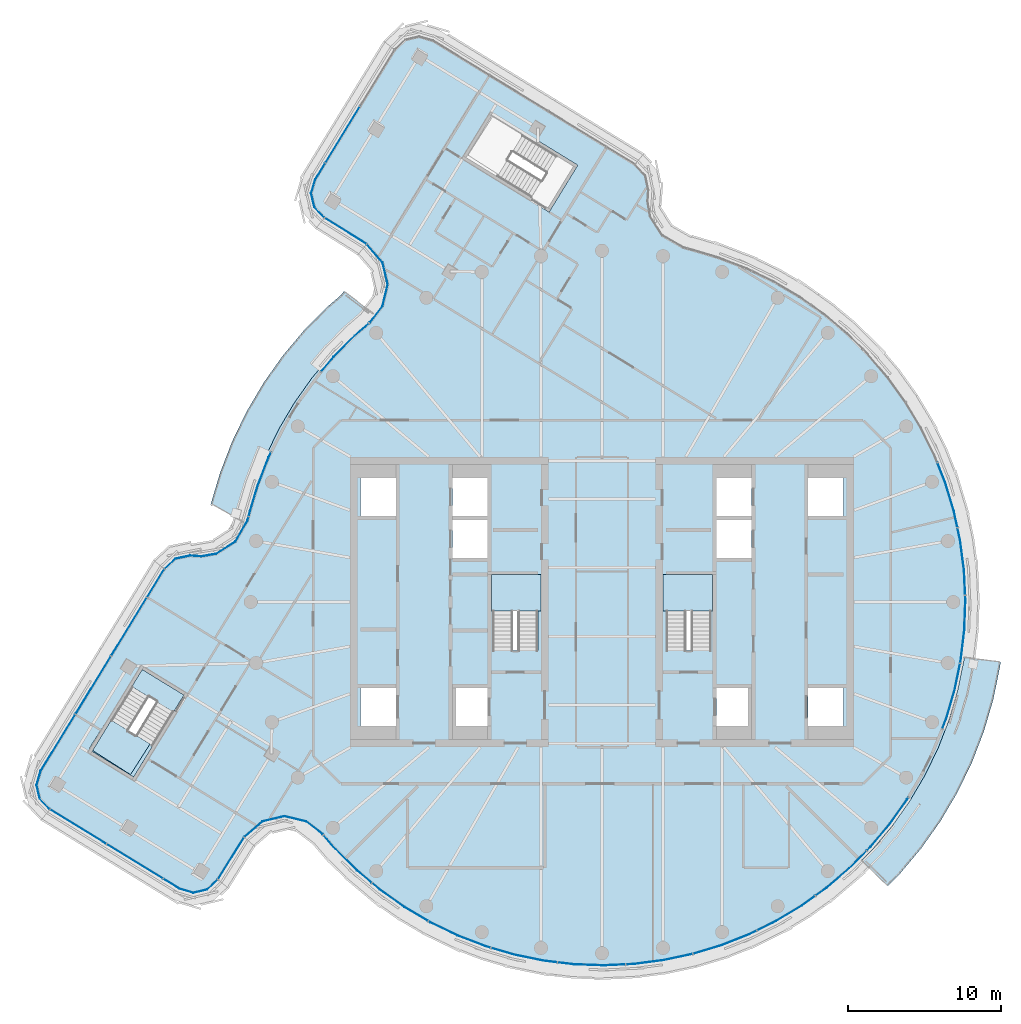
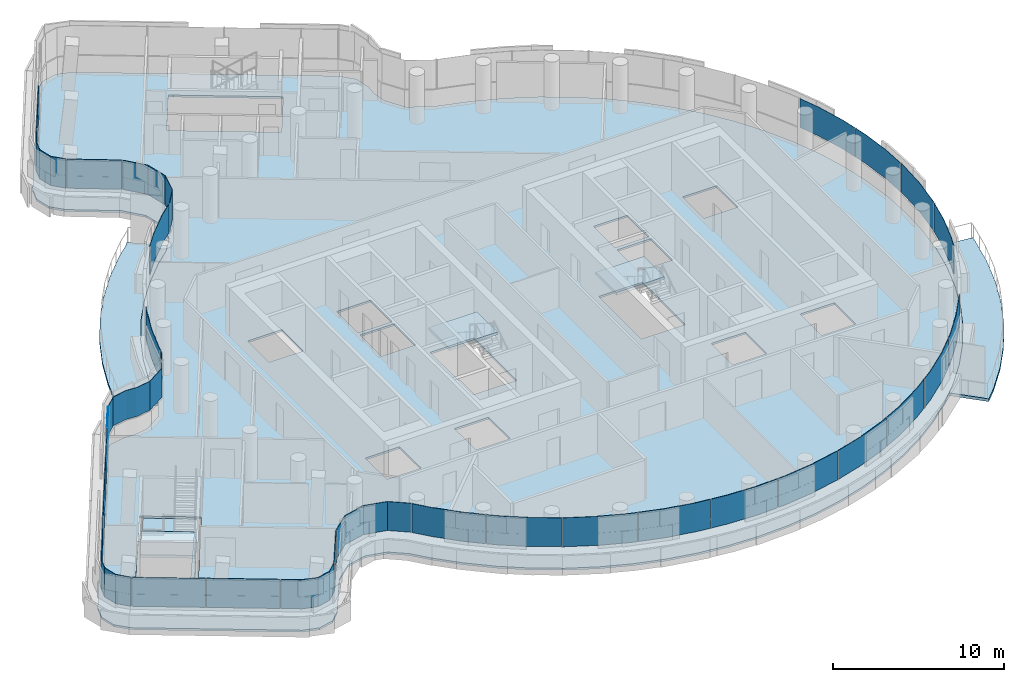
# One storey, part 15 of 27: 30 plates, 7 slabs, 10 elements without a shape of their own.
"""IFC4 building model written with IfcOpenShell, lengths in metres."""

import ifcopenshell
import ifcopenshell.guid

model = None  # the IFC model being written
_history = None  # IfcOwnerHistory: only IFC2X3 demands one
_inside = {}  # id of a spatial element -> (the spatial element, [elements in it])
_under = {}  # id of a project, library or spatial element -> (it, [spatial elements below it])
_declared = {}  # id of a project -> (the project, [libraries it declares])
_typed = {}  # id of a type object -> (the type object, [elements of that type])
_made_of = {}  # id of a material, layer set ... -> (it, [elements and type objects made of it])


def new_model(schema):
    """Start an empty IFC model of exactly this schema.

    Asked for "IFC4X3", IfcOpenShell would pick the latest addendum, in which some entities
    have other attributes; the version numbers below select the first issue.
    IFC2X3 requires an IfcOwnerHistory on every rooted entity: one is made here for all.
    """
    global model, _history
    if schema == "IFC4X3":
        model = ifcopenshell.file(schema_version=(4, 3, 0, 0))
    else:
        model = ifcopenshell.file(schema=schema)
    _inside.clear()
    _under.clear()
    _declared.clear()
    _typed.clear()
    _made_of.clear()
    _history = None
    if model.schema == "IFC2X3":
        org = make("IfcOrganization", Name="unknown")
        user = make(
            "IfcPersonAndOrganization",
            ThePerson=make("IfcPerson", FamilyName="unknown"),
            TheOrganization=org,
        )
        app = make(
            "IfcApplication",
            ApplicationDeveloper=org,
            Version="unknown",
            ApplicationFullName="unknown",
            ApplicationIdentifier="unknown",
        )
        _history = make(
            "IfcOwnerHistory",
            OwningUser=user,
            OwningApplication=app,
            ChangeAction="ADDED",
            CreationDate=0,
        )
    return model


def make(cls, **values):
    """One entity of the class cls with the attributes given. An attribute that is None is left unset."""
    return model.create_entity(
        cls, **{name: value for name, value in values.items() if value is not None}
    )


def rooted(cls, **values):
    """An entity with a GlobalId (a new one), such as an element, a storey or a relation."""
    return make(cls, GlobalId=ifcopenshell.guid.new(), OwnerHistory=_history, **values)


def si_unit(unit_type, name, prefix=None):
    """IfcSIUnit, for example si_unit("LENGTHUNIT", "METRE", prefix="MILLI")."""
    return make("IfcSIUnit", UnitType=unit_type, Prefix=prefix, Name=name)


def assignment(units):
    """IfcUnitAssignment: the units of a project."""
    return None if units is None else make("IfcUnitAssignment", Units=units)


def point(xyz):
    """IfcCartesianPoint."""
    return None if xyz is None else make("IfcCartesianPoint", Coordinates=xyz)


def direction(xyz):
    """IfcDirection."""
    return None if xyz is None else make("IfcDirection", DirectionRatios=xyz)


def frame(location, z_axis=None, x_axis=None):
    """IfcAxis2Placement3D, a coordinate frame: its origin and axes. An axis left out is left unset."""
    return make(
        "IfcAxis2Placement3D",
        Location=point(location),
        Axis=direction(z_axis),
        RefDirection=direction(x_axis),
    )


def origin():
    """The frame at (0, 0, 0) with its axes left unset."""
    return frame((0.0, 0.0, 0.0))


def place(relative_to, where):
    """IfcLocalPlacement: puts the frame where relative to a parent placement (None: the world)."""
    return make(
        "IfcLocalPlacement", PlacementRelTo=relative_to, RelativePlacement=where
    )


def context(
    kind, dimensions, precision=None, world=None, true_north=None, identifier=None
):
    """IfcGeometricRepresentationContext, for example the 3D "Model" context."""
    return make(
        "IfcGeometricRepresentationContext",
        ContextIdentifier=identifier,
        ContextType=kind,
        CoordinateSpaceDimension=dimensions,
        Precision=precision,
        WorldCoordinateSystem=world,
        TrueNorth=true_north,
    )


def subcontext(parent, identifier, kind, view, scale=None):
    """IfcGeometricRepresentationSubContext, for example "Body" below "Model"."""
    return make(
        "IfcGeometricRepresentationSubContext",
        ContextIdentifier=identifier,
        ContextType=kind,
        ParentContext=parent,
        TargetScale=scale,
        TargetView=view,
    )


def project(units=None, contexts=None):
    """IfcProject with its units and contexts."""
    return rooted(
        "IfcProject",
        Name="project",
        RepresentationContexts=contexts,
        UnitsInContext=assignment(units),
    )


def spatial(cls, under=None, at=None, **own):
    """A site, building, storey or space (cls), placed at a placement, below another one or the project."""
    s = rooted(cls, ObjectPlacement=at, **own)
    if under is not None:
        _under.setdefault(under.id(), (under, []))[1].append(s)
    return s


def polyline(points):
    """IfcPolyline through the points."""
    return make("IfcPolyline", Points=[point(p) for p in points])


def outline(outer, holes=None, kind="AREA"):
    """IfcArbitraryClosedProfileDef: a profile drawn as a closed curve; with holes, ...WithVoids."""
    if holes is None:
        return make("IfcArbitraryClosedProfileDef", ProfileType=kind, OuterCurve=outer)
    return make(
        "IfcArbitraryProfileDefWithVoids",
        ProfileType=kind,
        OuterCurve=outer,
        InnerCurves=holes,
    )


def extrude(swept, where, along, depth):
    """IfcExtrudedAreaSolid: the profile swept, set in the frame where, extruded along a direction by depth."""
    return make(
        "IfcExtrudedAreaSolid",
        SweptArea=swept,
        Position=where,
        ExtrudedDirection=direction(along),
        Depth=depth,
    )


def shape(context_of_items, identifier, shape_type, items):
    """IfcShapeRepresentation: the items that make up one representation, for example the "Body"."""
    return make(
        "IfcShapeRepresentation",
        ContextOfItems=context_of_items,
        RepresentationIdentifier=identifier,
        RepresentationType=shape_type,
        Items=items,
    )


def material(Name=None, Category=None):
    """IfcMaterial."""
    return make("IfcMaterial", Name=Name, Category=Category)


def layer(
    of_material, thickness, ventilated=None, Name=None, Category=None, Priority=None
):
    """IfcMaterialLayer: one layer of a wall or slab, of a material (None: an air gap)."""
    return make(
        "IfcMaterialLayer",
        Material=of_material,
        LayerThickness=thickness,
        IsVentilated=ventilated,
        Name=Name,
        Category=Category,
        Priority=Priority,
    )


def layer_set(layers, Name=None):
    """IfcMaterialLayerSet."""
    return make("IfcMaterialLayerSet", MaterialLayers=layers, LayerSetName=Name)


def made_of(thing, what):
    """Note that an element or type object is made of a material, layer set ...; save() writes the relation."""
    if what is not None:
        _made_of.setdefault(what.id(), (what, []))[1].append(thing)
    return thing


def type_object(cls, material=None, **own):
    """A type object (cls), such as IfcWallType, which elements share."""
    return made_of(rooted(cls, **own), material)


def element(
    cls,
    number,
    at=None,
    inside=None,
    cuts=None,
    type_object=None,
    material=None,
    context=None,
    identifier="Body",
    shape_type=None,
    held_by="IfcProductDefinitionShape",
    body=None,
    shapes=None,
    **own,
):
    """One element of the class cls, such as IfcWall. Its Tag is "e" and its number.

    at: its placement. inside: the storey or other place that contains it. cuts: it is an
    opening in that element (IfcRelVoidsElement). A single representation is given by context,
    identifier, shape_type and body (its items); several are given by shapes. held_by: the class
    of the entity that holds the representations. save() writes the other relations.
    """
    e = rooted(cls, Tag="e%d" % number, ObjectPlacement=at, **own)
    if body is not None:
        shapes = [shape(context, identifier, shape_type, body)]
    if shapes is not None:
        e.Representation = make(held_by, Representations=shapes)
    if inside is not None:
        _inside.setdefault(inside.id(), (inside, []))[1].append(e)
    if cuts is not None:
        rooted(
            "IfcRelVoidsElement", RelatingBuildingElement=cuts, RelatedOpeningElement=e
        )
    if type_object is not None:
        _typed.setdefault(type_object.id(), (type_object, []))[1].append(e)
    return made_of(e, material)


def aggregate(whole, parts):
    """IfcRelAggregates: a whole, such as a stair, and the parts it consists of."""
    return rooted("IfcRelAggregates", RelatingObject=whole, RelatedObjects=parts)


def save(model, path):
    """Write the relations noted so far, then the file.

    IfcRelAggregates (storeys below a building ...), IfcRelContainedInSpatialStructure (elements
    in a storey), IfcRelDefinesByType, IfcRelAssociatesMaterial and IfcRelDeclares: one each for
    every whole, place, type object, material and project.
    """
    for whole, parts in _under.values():
        aggregate(whole, parts)
    for where, things in _inside.values():
        rooted(
            "IfcRelContainedInSpatialStructure",
            RelatedElements=things,
            RelatingStructure=where,
        )
    for kind, things in _typed.values():
        rooted("IfcRelDefinesByType", RelatedObjects=things, RelatingType=kind)
    for what, things in _made_of.values():
        rooted("IfcRelAssociatesMaterial", RelatedObjects=things, RelatingMaterial=what)
    for by, libraries in _declared.values():
        rooted("IfcRelDeclares", RelatingContext=by, RelatedDefinitions=libraries)
    model.write(path)


model = new_model("IFC4")

# Units and contexts
model_context = context("Model", 3, precision=1e-05, world=origin(), true_north=direction((0.0, 1.0)))
body_context = subcontext(model_context, "Body", "Model", "MODEL_VIEW")
ifc_project = project(units=[si_unit("LENGTHUNIT", "METRE"), si_unit("AREAUNIT", "SQUARE_METRE"), si_unit("VOLUMEUNIT", "CUBIC_METRE"), si_unit("PLANEANGLEUNIT", "RADIAN"), si_unit("MASSUNIT", "GRAM", prefix="KILO")], contexts=[model_context])

# Site, building, storey
site_placement = place(None, origin())
site = spatial("IfcSite", under=ifc_project, at=site_placement, CompositionType="ELEMENT")
building_placement = place(site_placement, origin())
building = spatial("IfcBuilding", under=site, at=building_placement, Name="Tamarind Cross Interchange Tower", CompositionType="ELEMENT")
storey_placement = place(building_placement, frame((0.0, 0.0, 245.10009765625)))
storey = spatial("IfcBuildingStorey", under=building, at=storey_placement, Name="L62", CompositionType="ELEMENT", Elevation=245.10009765625)

# Slabs
ifc_material_1 = material(Name="Precast concrete C40", Category="concrete")
ifc_layer_1 = layer(ifc_material_1, 0.199951171875)
ifc_layer_set_1 = layer_set([ifc_layer_1], Name="Precast concrete C40")
slab_type_1 = type_object("IfcSlabType", Name="Balcony slab", PredefinedType="BASESLAB", material=ifc_layer_set_1)
slab_1_placement = place(storey_placement, frame((0.0, 0.0, -0.2001953125)))
element("IfcSlab", 1, at=slab_1_placement, inside=storey, type_object=slab_type_1, Name="SLB-L62-BAL02", PredefinedType="BASESLAB", context=body_context, shape_type="SweptSolid", body=[
    extrude(outline(polyline([(-14.9892578125, 18.888671875), (-15.3369140625, 18.434814453125), (-16.327880859375, 17.584228515625), (-17.72412109375, 16.17578125), (-18.99951171875, 14.656982421875), (-20.14501953125, 13.0380859375), (-21.15283203125, 11.329833984375), (-22.01611328125, 9.54443359375), (-22.72900390625, 7.69384765625), (-23.236083984375, 5.99072265625), (-23.394287109375, 5.415771484375), (-23.490234375, 5.24755859375), (-25.574462890625, 6.437744140625), (-25.628173828125, 6.343505859375), (-25.54345703125, 6.651611328125), (-25.00244140625, 8.46875), (-24.219970703125, 10.499755859375), (-23.270263671875, 12.464111328125), (-22.161376953125, 14.343017578125), (-20.9013671875, 16.124267578125), (-19.498291015625, 17.795166015625), (-17.964111328125, 19.342529296875), (-17.090087890625, 20.0927734375), (-16.894775390625, 20.347900390625), (-14.9892578125, 18.888671875)])), origin(), (0.0, 0.0, 1.0), 0.2001953125),
])
slab_2_placement = place(storey_placement, frame((0.0, 0.0, -0.2001953125)))
element("IfcSlab", 2, at=slab_2_placement, inside=storey, type_object=slab_type_1, Name="SLB-L62-BAL06", PredefinedType="BASESLAB", context=body_context, shape_type="SweptSolid", body=[
    extrude(outline(polyline([(17.0009765625, -16.905517578125), (17.72412109375, -16.17578125), (18.99951171875, -14.656982421875), (20.14501953125, -13.0380859375), (21.15283203125, -11.329833984375), (22.01611328125, -9.54443359375), (22.72900390625, -7.69384765625), (23.286865234375, -5.79052734375), (23.685546875, -3.84765625), (23.7109375, -3.635986328125), (26.09375, -3.922607421875), (26.056396484375, -4.23291015625), (25.617919921875, -6.3701171875), (25.00439453125, -8.4638671875), (24.219970703125, -10.499755859375), (23.270263671875, -12.464111328125), (22.161376953125, -14.343017578125), (20.9013671875, -16.124267578125), (19.498291015625, -17.795166015625), (18.705322265625, -18.59521484375), (17.0009765625, -16.905517578125)])), origin(), (0.0, 0.0, 1.0), 0.2001953125),
])
ifc_material_2 = material(Name="Concrete C35", Category="concrete")
ifc_layer_2 = layer(ifc_material_2, 0.139892578125)
ifc_layer_set_2 = layer_set([ifc_layer_2], Name="Concrete C35")
slab_type_2 = type_object("IfcSlabType", Name="Composite slab 140 Concrete C35", PredefinedType="FLOOR", material=ifc_layer_set_2)
slab_3_placement = place(storey_placement, frame((0.0, 0.0, -0.14013671875)))
element("IfcSlab", 3, at=slab_3_placement, inside=storey, type_object=slab_type_2, Name="Floor slab L62", PredefinedType="FLOOR", context=body_context, shape_type="SweptSolid", body=[
    extrude(outline(polyline([(3.02099609375, 28.01708984375), (2.287109375, 28.807861328125), (-10.9833984375, 36.937255859375), (-11.97607421875, 37.231201171875), (-12.982666015625, 36.9892578125), (-13.7333984375, 36.276611328125), (-18.95703125, 27.74951171875), (-19.2509765625, 26.756591796875), (-19.00927734375, 25.75), (-18.29638671875, 24.999267578125), (-15.534912109375, 23.27490234375), (-14.55322265625, 22.139892578125), (-14.23193359375, 20.795654296875), (-14.5576171875, 19.452392578125), (-15.3369140625, 18.434814453125), (-16.327880859375, 17.584228515625), (-17.72412109375, 16.17578125), (-18.99951171875, 14.656982421875), (-20.14501953125, 13.0380859375), (-21.15283203125, 11.329833984375), (-22.01611328125, 9.54443359375), (-22.72900390625, 7.693603515625), (-23.236083984375, 5.99072265625), (-23.394287109375, 5.415771484375), (-24.147705078125, 4.09619140625), (-25.32763671875, 3.344482421875), (-26.25537109375, 3.187255859375), (-26.960205078125, 3.2373046875), (-28.01708984375, 3.02099609375), (-28.807861328125, 2.287109375), (-36.937255859375, -10.9833984375), (-37.231201171875, -11.97607421875), (-36.9892578125, -12.982666015625), (-36.276611328125, -13.7333984375), (-27.74951171875, -18.95703125), (-26.756591796875, -19.2509765625), (-25.75, -19.00927734375), (-24.999267578125, -18.29638671875), (-23.27490234375, -15.534912109375), (-22.139892578125, -14.55322265625), (-20.795654296875, -14.23193359375), (-19.452392578125, -14.5576171875), (-18.434814453125, -15.3369140625), (-17.584228515625, -16.327880859375), (-16.17578125, -17.72412109375), (-14.656982421875, -18.99951171875), (-13.0380859375, -20.14501953125), (-11.329833984375, -21.15283203125), (-9.54443359375, -22.01611328125), (-7.693603515625, -22.72900390625), (-5.79052734375, -23.286865234375), (-3.84765625, -23.685546875), (-1.878662109375, -23.92236328125), (0.103271484375, -23.99560546875), (2.08447265625, -23.9052734375), (4.051513671875, -23.651611328125), (5.99072265625, -23.236083984375), (7.88916015625, -22.662109375), (9.7333984375, -21.93310546875), (11.511474609375, -21.054443359375), (13.2109375, -20.031982421875), (14.820068359375, -18.87255859375), (16.327880859375, -17.584228515625), (17.72412109375, -16.17578125), (18.99951171875, -14.656982421875), (20.14501953125, -13.0380859375), (21.15283203125, -11.329833984375), (22.01611328125, -9.54443359375), (22.72900390625, -7.693603515625), (23.286865234375, -5.79052734375), (23.685546875, -3.84765625), (23.92236328125, -1.878662109375), (23.99560546875, 0.103271484375), (23.9052734375, 2.08447265625), (23.651611328125, 4.051513671875), (23.236083984375, 5.99072265625), (22.662109375, 7.88916015625), (21.93310546875, 9.7333984375), (21.054443359375, 11.511474609375), (20.031982421875, 13.2109375), (18.87255859375, 14.820068359375), (17.584228515625, 16.327880859375), (16.17578125, 17.72412109375), (14.656982421875, 18.99951171875), (13.0380859375, 20.14501953125), (11.329833984375, 21.15283203125), (9.54443359375, 22.01611328125), (7.693603515625, 22.72900390625), (5.99072265625, 23.236083984375), (5.415771484375, 23.394287109375), (4.09619140625, 24.147705078125), (3.344482421875, 25.32763671875), (3.187255859375, 26.25537109375), (3.2373046875, 26.960205078125), (3.02099609375, 28.01708984375)]), holes=[polyline([(-30.59765625, -11.737548828125), (-30.76806640625, -11.633056640625), (-33.496826171875, -9.961669921875), (-33.66748046875, -9.857177734375), (-33.518310546875, -9.614013671875), (-33.569091796875, -9.581787109375), (-31.7998046875, -6.808349609375), (-30.16748046875, -4.143798828125), (-29.9970703125, -4.248291015625), (-27.268310546875, -5.919921875), (-27.09765625, -6.0244140625), (-30.59765625, -11.737548828125)]), polyline([(-13.5, -8.125), (-15.800048828125, -8.125), (-15.800048828125, -5.625), (-13.5, -5.625), (-13.5, -8.125)]), polyline([(-7.5, -5.625), (-7.5, -8.125), (-9.800048828125, -8.125), (-9.800048828125, -5.625), (-7.5, -5.625)]), polyline([(-7.5, 2.875), (-9.800048828125, 2.875), (-9.800048828125, 5.375), (-7.5, 5.375), (-7.5, 2.875)]), polyline([(-13.5, 8.125), (-13.5, 5.625), (-15.800048828125, 5.625), (-15.800048828125, 8.125), (-13.5, 8.125)]), polyline([(-7.5, 5.625), (-9.800048828125, 5.625), (-9.800048828125, 8.125), (-7.5, 8.125), (-7.5, 5.625)]), polyline([(-1.585693359375, 28.600341796875), (-1.690185546875, 28.429931640625), (-3.36181640625, 25.701171875), (-3.46630859375, 25.530517578125), (-9.179443359375, 29.030517578125), (-9.074951171875, 29.200927734375), (-7.4033203125, 31.9296875), (-7.298828125, 32.100341796875), (-7.055419921875, 31.951171875), (-7.052490234375, 31.95556640625), (-6.808349609375, 31.7998046875), (-1.585693359375, 28.600341796875)]), polyline([(7.5, -8.125), (7.5, -5.625), (9.800048828125, -5.625), (9.800048828125, -8.125), (7.5, -8.125)]), polyline([(13.5, -8.125), (13.5, -5.625), (15.800048828125, -5.625), (15.800048828125, -8.125), (13.5, -8.125)]), polyline([(-7.14990234375, 1.800048828125), (-4.199951171875, 1.800048828125), (-4.199951171875, -3.18798828125), (-7.14990234375, -3.18798828125), (-7.14990234375, 1.800048828125)]), polyline([(7.14990234375, 1.800048828125), (7.14990234375, -3.18798828125), (4.199951171875, -3.18798828125), (4.199951171875, 1.800048828125), (7.14990234375, 1.800048828125)]), polyline([(7.5, 5.375), (9.800048828125, 5.375), (9.800048828125, 2.875), (7.5, 2.875), (7.5, 5.375)]), polyline([(7.5, 5.625), (7.5, 8.125), (9.800048828125, 8.125), (9.800048828125, 5.625), (7.5, 5.625)]), polyline([(13.5, 8.125), (15.800048828125, 8.125), (15.800048828125, 5.625), (13.5, 5.625), (13.5, 8.125)])]), origin(), (0.0, 0.0, 1.0), 0.14013671875),
])
slab_4_placement = place(storey_placement, frame((0.0, 0.0, -0.14013671875)))
element("IfcSlab", 4, at=slab_4_placement, inside=storey, type_object=slab_type_2, Name="Floor slab L62", PredefinedType="FLOOR", context=body_context, shape_type="SweptSolid", body=[
    extrude(outline(polyline([(-33.392333984375, -9.791015625), (-30.663818359375, -11.462646484375), (-27.372802734375, -6.09033203125), (-30.1015625, -4.4189453125), (-30.786865234375, -5.53759765625), (-28.203125, -7.120361328125), (-30.87109375, -11.302734375), (-33.349853515625, -9.721435546875), (-33.392333984375, -9.791015625)])), origin(), (0.0, 0.0, 1.0), 0.14013671875),
])

# Stair, slab
ifc_material_3 = material(Name="Exit stair")
stair_type = type_object("IfcStairType", Name="Exit stair", PredefinedType="HALF_TURN_STAIR", material=ifc_material_3)
stair_1_placement = place(storey_placement, origin())
stair_1 = element("IfcStair", 5, at=stair_1_placement, inside=storey, type_object=stair_type, Name="L62 exit stair ST1", PredefinedType="HALF_TURN_STAIR")
ifc_material_4 = material(Name="Concrete C40", Category="concrete")
ifc_layer_3 = layer(ifc_material_4, 0.199951171875)
ifc_layer_set_3 = layer_set([ifc_layer_3], Name="Concrete C40")
slab_type_3 = type_object("IfcSlabType", Name="Stair landing", PredefinedType="LANDING", material=ifc_layer_set_3)
slab_5_placement = place(storey_placement, frame((0.0, 0.0, 1.599853515625)))
slab_5 = element("IfcSlab", 6, at=slab_5_placement, type_object=slab_type_3, Name="ST1 landing 1", PredefinedType="LANDING", context=body_context, shape_type="SweptSolid", body=[
    extrude(outline(polyline([(-4.0, -0.60009765625), (-4.0, 1.800048828125), (-7.25, 1.800048828125), (-7.25, -0.60009765625), (-4.0, -0.60009765625)])), origin(), (0.0, 0.0, 1.0), 0.199951171875),
])
aggregate(stair_1, [slab_5])

stair_2_placement = place(storey_placement, origin())
stair_2 = element("IfcStair", 7, at=stair_2_placement, inside=storey, type_object=stair_type, Name="L62 exit stair ST2", PredefinedType="HALF_TURN_STAIR")
slab_6_placement = place(storey_placement, frame((0.0, 0.0, 1.599853515625)))
slab_6 = element("IfcSlab", 8, at=slab_6_placement, type_object=slab_type_3, Name="ST2 landing 1", PredefinedType="LANDING", context=body_context, shape_type="SweptSolid", body=[
    extrude(outline(polyline([(7.25, -0.60009765625), (7.25, 1.800048828125), (4.0, 1.800048828125), (4.0, -0.60009765625), (7.25, -0.60009765625)])), origin(), (0.0, 0.0, 1.0), 0.199951171875),
])
aggregate(stair_2, [slab_6])

stair_3_placement = place(storey_placement, origin())
stair_3 = element("IfcStair", 9, at=stair_3_placement, inside=storey, type_object=stair_type, Name="L62 exit stair ST5", PredefinedType="HALF_TURN_STAIR")
slab_7_placement = place(storey_placement, frame((0.0, 0.0, 1.599853515625)))
slab_7 = element("IfcSlab", 10, at=slab_7_placement, type_object=slab_type_3, Name="ST5 landing 1", PredefinedType="LANDING", context=body_context, shape_type="SweptSolid", body=[
    extrude(outline(polyline([(-32.13232421875, -7.734130859375), (-33.392333984375, -9.791015625), (-30.66357421875, -11.462646484375), (-29.40380859375, -9.40576171875), (-32.13232421875, -7.734130859375)])), origin(), (0.0, 0.0, 1.0), 0.199951171875),
])
aggregate(stair_3, [slab_7])

# Curtain wall, plates
ifc_material_5 = material(Name="Aluminium 6063-T6", Category="aluminium")
ifc_layer_4 = layer(ifc_material_5, 0.139892578125)
ifc_layer_set_4 = layer_set([ifc_layer_4], Name="Aluminium 6063-T6")
curtain_wall_type = type_object("IfcCurtainWallType", Name="Hotel curtain wall, 4.5 m bays", PredefinedType="NOTDEFINED", material=ifc_layer_set_4)
curtain_wall_1_placement = place(storey_placement, origin())
curtain_wall_1 = element("IfcCurtainWall", 11, at=curtain_wall_1_placement, inside=storey, type_object=curtain_wall_type, Name="CWS-L62-00", PredefinedType="NOTDEFINED")
ifc_material_6 = material(Name="Laminated low-e glass 6+1.52+6", Category="glass")
ifc_layer_5 = layer(ifc_material_6, 0.02392578125)
ifc_layer_set_5 = layer_set([ifc_layer_5], Name="Laminated low-e glass 6+1.52+6")
plate_type = type_object("IfcPlateType", Name="Vision panel CW2", PredefinedType="CURTAIN_PANEL", material=ifc_layer_set_5)
plate_1_placement = place(storey_placement, frame((0.0, 0.0, 1.39990234375)))
plate_1 = element("IfcPlate", 12, at=plate_1_placement, type_object=plate_type, Name="CWP-L62-00-01", PredefinedType="CURTAIN_PANEL", context=body_context, shape_type="SweptSolid", body=[
    extrude(outline(polyline([(-15.85205078125, 32.412109375), (-18.0908203125, 28.7578125), (-18.111328125, 28.770263671875), (-15.87255859375, 32.4248046875), (-15.85205078125, 32.412109375)])), origin(), (0.0, 0.0, 1.0), 2.06005859375),
])
plate_2_placement = place(storey_placement, frame((0.0, 0.0, 1.39990234375)))
plate_2 = element("IfcPlate", 13, at=plate_2_placement, type_object=plate_type, Name="CWP-L62-00-02", PredefinedType="CURTAIN_PANEL", context=body_context, shape_type="SweptSolid", body=[
    extrude(outline(polyline([(-18.1220703125, 28.70654296875), (-18.76171875, 27.662353515625), (-19.031494140625, 26.7509765625), (-18.81640625, 25.854736328125), (-18.180908203125, 25.185302734375), (-18.1982421875, 25.1689453125), (-18.838134765625, 25.843017578125), (-19.056396484375, 26.751708984375), (-18.783935546875, 27.67236328125), (-18.142578125, 28.71923828125), (-18.1220703125, 28.70654296875)])), origin(), (0.0, 0.0, 1.0), 2.06005859375),
])
aggregate(curtain_wall_1, [plate_1, plate_2])

# Curtain wall, plate
curtain_wall_2_placement = place(storey_placement, origin())
curtain_wall_2 = element("IfcCurtainWall", 14, at=curtain_wall_2_placement, inside=storey, type_object=curtain_wall_type, Name="CWS-L62-01", PredefinedType="NOTDEFINED")
plate_3_placement = place(storey_placement, frame((0.0, 0.0, 1.39990234375)))
plate_3 = element("IfcPlate", 15, at=plate_3_placement, type_object=plate_type, Name="CWP-L62-01-00", PredefinedType="CURTAIN_PANEL", context=body_context, shape_type="SweptSolid", body=[
    extrude(outline(polyline([(-18.13720703125, 25.149658203125), (-15.42236328125, 23.454833984375), (-15.43505859375, 23.434326171875), (-18.14990234375, 25.12939453125), (-18.13720703125, 25.149658203125)])), origin(), (0.0, 0.0, 1.0), 2.06005859375),
])
aggregate(curtain_wall_2, [plate_3])

# Curtain wall, plates
curtain_wall_3_placement = place(storey_placement, origin())
curtain_wall_3 = element("IfcCurtainWall", 16, at=curtain_wall_3_placement, inside=storey, type_object=curtain_wall_type, Name="CWS-L62-02", PredefinedType="NOTDEFINED")
plate_4_placement = place(storey_placement, frame((0.0, 0.0, 1.39990234375)))
plate_4 = element("IfcPlate", 17, at=plate_4_placement, type_object=plate_type, Name="CWP-L62-02-00", PredefinedType="CURTAIN_PANEL", context=body_context, shape_type="SweptSolid", body=[
    extrude(outline(polyline([(-15.37451171875, 23.413818359375), (-14.35888671875, 22.239501953125), (-14.013916015625, 20.79541015625), (-14.362060546875, 19.359130859375), (-15.181884765625, 18.288330078125), (-15.214111328125, 18.2607421875), (-15.229736328125, 18.279052734375), (-15.199462890625, 18.304931640625), (-14.38427734375, 19.36962890625), (-14.03857421875, 20.79541015625), (-14.380859375, 22.228271484375), (-15.392822265625, 23.398193359375), (-15.37451171875, 23.413818359375)])), origin(), (0.0, 0.0, 1.0), 2.06005859375),
])
plate_5_placement = place(storey_placement, frame((0.0, 0.0, 1.39990234375)))
plate_5 = element("IfcPlate", 18, at=plate_5_placement, type_object=plate_type, Name="CWP-L62-02-01", PredefinedType="CURTAIN_PANEL", context=body_context, shape_type="SweptSolid", body=[
    extrude(outline(polyline([(-15.259521484375, 18.2216796875), (-16.183349609375, 17.428955078125), (-17.5673828125, 16.032958984375), (-18.367919921875, 15.07958984375), (-18.38623046875, 15.094970703125), (-17.585205078125, 16.049072265625), (-16.19970703125, 17.446533203125), (-15.275146484375, 18.239990234375), (-15.259521484375, 18.2216796875)])), origin(), (0.0, 0.0, 1.0), 2.06005859375),
])
plate_6_placement = place(storey_placement, frame((0.0, 0.0, 1.39990234375)))
plate_6 = element("IfcPlate", 19, at=plate_6_placement, type_object=plate_type, Name="CWP-L62-02-03", PredefinedType="CURTAIN_PANEL", context=body_context, shape_type="SweptSolid", body=[
    extrude(outline(polyline([(-21.6611328125, 9.791748046875), (-21.821533203125, 9.4599609375), (-22.5283203125, 7.625244140625), (-23.0322265625, 5.932373046875), (-23.11865234375, 5.618896484375), (-23.141845703125, 5.625244140625), (-23.055419921875, 5.93896484375), (-22.551025390625, 7.633056640625), (-21.843505859375, 9.469482421875), (-21.6826171875, 9.80224609375), (-21.6611328125, 9.791748046875)])), origin(), (0.0, 0.0, 1.0), 2.06005859375),
])
plate_7_placement = place(storey_placement, frame((0.0, 0.0, 1.39990234375)))
plate_7 = element("IfcPlate", 20, at=plate_7_placement, type_object=plate_type, Name="CWP-L62-02-04", PredefinedType="CURTAIN_PANEL", context=body_context, shape_type="SweptSolid", body=[
    extrude(outline(polyline([(-23.134521484375, 5.56103515625), (-23.197021484375, 5.333740234375), (-23.989501953125, 3.945556640625), (-25.25, 3.142578125), (-26.244873046875, 2.973876953125), (-26.9462890625, 3.02392578125), (-27.91650390625, 2.8251953125), (-28.62158203125, 2.1708984375), (-28.637939453125, 2.1884765625), (-27.927734375, 2.847412109375), (-26.94775390625, 3.048095703125), (-26.24609375, 2.998046875), (-25.2587890625, 3.16552734375), (-24.007568359375, 3.962646484375), (-23.219482421875, 5.343017578125), (-23.15771484375, 5.5673828125), (-23.134521484375, 5.56103515625)])), origin(), (0.0, 0.0, 1.0), 2.06005859375),
])
aggregate(curtain_wall_3, [plate_4, plate_5, plate_6, plate_7])

curtain_wall_4_placement = place(storey_placement, origin())
curtain_wall_4 = element("IfcCurtainWall", 21, at=curtain_wall_4_placement, inside=storey, type_object=curtain_wall_type, Name="CWS-L62-03", PredefinedType="NOTDEFINED")
plate_8_placement = place(storey_placement, frame((0.0, 0.0, 1.39990234375)))
plate_8 = element("IfcPlate", 22, at=plate_8_placement, type_object=plate_type, Name="CWP-L62-03-00", PredefinedType="CURTAIN_PANEL", context=body_context, shape_type="SweptSolid", body=[
    extrude(outline(polyline([(-28.6572265625, 2.12744140625), (-29.76806640625, 0.31396484375), (-29.78857421875, 0.32666015625), (-28.677490234375, 2.139892578125), (-28.6572265625, 2.12744140625)])), origin(), (0.0, 0.0, 1.0), 2.06005859375),
])
plate_9_placement = place(storey_placement, frame((0.0, 0.0, 1.39990234375)))
plate_9 = element("IfcPlate", 23, at=plate_9_placement, type_object=plate_type, Name="CWP-L62-03-01", PredefinedType="CURTAIN_PANEL", context=body_context, shape_type="SweptSolid", body=[
    extrude(outline(polyline([(-29.79931640625, 0.262939453125), (-32.110595703125, -3.509765625), (-32.130859375, -3.497314453125), (-29.81982421875, 0.275390625), (-29.79931640625, 0.262939453125)])), origin(), (0.0, 0.0, 1.0), 2.06005859375),
])
plate_10_placement = place(storey_placement, frame((0.0, 0.0, 1.39990234375)))
plate_10 = element("IfcPlate", 24, at=plate_10_placement, type_object=plate_type, Name="CWP-L62-03-02", PredefinedType="CURTAIN_PANEL", context=body_context, shape_type="SweptSolid", body=[
    extrude(outline(polyline([(-32.141845703125, -3.56103515625), (-34.453125, -7.333740234375), (-34.473388671875, -7.3212890625), (-32.162353515625, -3.54833984375), (-32.141845703125, -3.56103515625)])), origin(), (0.0, 0.0, 1.0), 2.06005859375),
])
plate_11_placement = place(storey_placement, frame((0.0, 0.0, 1.39990234375)))
plate_11 = element("IfcPlate", 25, at=plate_11_placement, type_object=plate_type, Name="CWP-L62-03-03", PredefinedType="CURTAIN_PANEL", context=body_context, shape_type="SweptSolid", body=[
    extrude(outline(polyline([(-34.484375, -7.385009765625), (-36.741943359375, -11.0703125), (-37.01171875, -11.981689453125), (-36.79638671875, -12.8779296875), (-36.16162109375, -13.546630859375), (-36.178955078125, -13.563232421875), (-36.818359375, -12.8896484375), (-37.03662109375, -11.98095703125), (-36.763916015625, -11.060302734375), (-34.5048828125, -7.372314453125), (-34.484375, -7.385009765625)])), origin(), (0.0, 0.0, 1.0), 2.06005859375),
])
aggregate(curtain_wall_4, [plate_8, plate_9, plate_10, plate_11])

curtain_wall_5_placement = place(storey_placement, origin())
curtain_wall_5 = element("IfcCurtainWall", 26, at=curtain_wall_5_placement, inside=storey, type_object=curtain_wall_type, Name="CWS-L62-04", PredefinedType="NOTDEFINED")
plate_12_placement = place(storey_placement, frame((0.0, 0.0, 1.39990234375)))
plate_12 = element("IfcPlate", 27, at=plate_12_placement, type_object=plate_type, Name="CWP-L62-04-00", PredefinedType="CURTAIN_PANEL", context=body_context, shape_type="SweptSolid", body=[
    extrude(outline(polyline([(-36.11767578125, -13.58203125), (-32.46337890625, -15.82080078125), (-32.475830078125, -15.84130859375), (-36.13037109375, -13.6025390625), (-36.11767578125, -13.58203125)])), origin(), (0.0, 0.0, 1.0), 2.06005859375),
])
plate_13_placement = place(storey_placement, frame((0.0, 0.0, 1.39990234375)))
plate_13 = element("IfcPlate", 28, at=plate_13_placement, type_object=plate_type, Name="CWP-L62-04-01", PredefinedType="CURTAIN_PANEL", context=body_context, shape_type="SweptSolid", body=[
    extrude(outline(polyline([(-32.412109375, -15.85205078125), (-28.7578125, -18.0908203125), (-28.770263671875, -18.111328125), (-32.4248046875, -15.87255859375), (-32.412109375, -15.85205078125)])), origin(), (0.0, 0.0, 1.0), 2.06005859375),
])
plate_14_placement = place(storey_placement, frame((0.0, 0.0, 1.39990234375)))
plate_14 = element("IfcPlate", 29, at=plate_14_placement, type_object=plate_type, Name="CWP-L62-04-02", PredefinedType="CURTAIN_PANEL", context=body_context, shape_type="SweptSolid", body=[
    extrude(outline(polyline([(-28.70654296875, -18.1220703125), (-27.662353515625, -18.76171875), (-26.7509765625, -19.031494140625), (-25.854736328125, -18.81640625), (-25.185302734375, -18.180908203125), (-25.1689453125, -18.1982421875), (-25.843017578125, -18.838134765625), (-26.751708984375, -19.056396484375), (-27.67236328125, -18.783935546875), (-28.71923828125, -18.142578125), (-28.70654296875, -18.1220703125)])), origin(), (0.0, 0.0, 1.0), 2.06005859375),
])
aggregate(curtain_wall_5, [plate_12, plate_13, plate_14])

# Curtain wall, plate
curtain_wall_6_placement = place(storey_placement, origin())
curtain_wall_6 = element("IfcCurtainWall", 30, at=curtain_wall_6_placement, inside=storey, type_object=curtain_wall_type, Name="CWS-L62-05", PredefinedType="NOTDEFINED")
plate_15_placement = place(storey_placement, frame((0.0, 0.0, 1.39990234375)))
plate_15 = element("IfcPlate", 31, at=plate_15_placement, type_object=plate_type, Name="CWP-L62-05-00", PredefinedType="CURTAIN_PANEL", context=body_context, shape_type="SweptSolid", body=[
    extrude(outline(polyline([(-25.149658203125, -18.13720703125), (-23.454833984375, -15.42236328125), (-23.434326171875, -15.43505859375), (-25.12939453125, -18.14990234375), (-25.149658203125, -18.13720703125)])), origin(), (0.0, 0.0, 1.0), 2.06005859375),
])
aggregate(curtain_wall_6, [plate_15])

# Curtain wall, plates
curtain_wall_7_placement = place(storey_placement, origin())
curtain_wall_7 = element("IfcCurtainWall", 32, at=curtain_wall_7_placement, inside=storey, type_object=curtain_wall_type, Name="CWS-L62-06", PredefinedType="NOTDEFINED")
plate_16_placement = place(storey_placement, frame((0.0, 0.0, 1.39990234375)))
plate_16 = element("IfcPlate", 33, at=plate_16_placement, type_object=plate_type, Name="CWP-L62-06-00", PredefinedType="CURTAIN_PANEL", context=body_context, shape_type="SweptSolid", body=[
    extrude(outline(polyline([(-23.413818359375, -15.37451171875), (-22.239501953125, -14.35888671875), (-20.79541015625, -14.013916015625), (-19.359130859375, -14.362060546875), (-18.288330078125, -15.181884765625), (-18.2607421875, -15.214111328125), (-18.279052734375, -15.229736328125), (-18.304931640625, -15.199462890625), (-19.36962890625, -14.38427734375), (-20.79541015625, -14.03857421875), (-22.228271484375, -14.380859375), (-23.398193359375, -15.392822265625), (-23.413818359375, -15.37451171875)])), origin(), (0.0, 0.0, 1.0), 2.06005859375),
])
plate_17_placement = place(storey_placement, frame((0.0, 0.0, 1.39990234375)))
plate_17 = element("IfcPlate", 34, at=plate_17_placement, type_object=plate_type, Name="CWP-L62-06-01", PredefinedType="CURTAIN_PANEL", context=body_context, shape_type="SweptSolid", body=[
    extrude(outline(polyline([(-18.2216796875, -15.259521484375), (-17.428955078125, -16.183349609375), (-16.032958984375, -17.5673828125), (-15.07958984375, -18.367919921875), (-15.094970703125, -18.38623046875), (-16.049072265625, -17.585205078125), (-17.446533203125, -16.19970703125), (-18.239990234375, -15.275146484375), (-18.2216796875, -15.259521484375)])), origin(), (0.0, 0.0, 1.0), 2.06005859375),
])
plate_18_placement = place(storey_placement, frame((0.0, 0.0, 1.39990234375)))
plate_18 = element("IfcPlate", 35, at=plate_18_placement, type_object=plate_type, Name="CWP-L62-06-02", PredefinedType="CURTAIN_PANEL", context=body_context, shape_type="SweptSolid", body=[
    extrude(outline(polyline([(-15.033447265625, -18.406494140625), (-14.52734375, -18.83154296875), (-12.922607421875, -19.966796875), (-11.39111328125, -20.87060546875), (-11.4033203125, -20.89111328125), (-12.935791015625, -19.987060546875), (-14.5419921875, -18.850341796875), (-15.049072265625, -18.4248046875), (-15.033447265625, -18.406494140625)])), origin(), (0.0, 0.0, 1.0), 2.06005859375),
])
plate_19_placement = place(storey_placement, frame((0.0, 0.0, 1.39990234375)))
plate_19 = element("IfcPlate", 36, at=plate_19_placement, type_object=plate_type, Name="CWP-L62-06-03", PredefinedType="CURTAIN_PANEL", context=body_context, shape_type="SweptSolid", body=[
    extrude(outline(polyline([(-11.33935546875, -20.901123046875), (-11.229736328125, -20.9658203125), (-9.4599609375, -21.821533203125), (-7.625732421875, -22.528076171875), (-7.294677734375, -22.625), (-7.301513671875, -22.648193359375), (-7.63330078125, -22.55078125), (-9.469482421875, -21.843505859375), (-11.240966796875, -20.98681640625), (-11.3515625, -20.921630859375), (-11.33935546875, -20.901123046875)])), origin(), (0.0, 0.0, 1.0), 2.06005859375),
])
plate_20_placement = place(storey_placement, frame((0.0, 0.0, 1.39990234375)))
plate_20 = element("IfcPlate", 37, at=plate_20_placement, type_object=plate_type, Name="CWP-L62-06-04", PredefinedType="CURTAIN_PANEL", context=body_context, shape_type="SweptSolid", body=[
    extrude(outline(polyline([(-7.237060546875, -22.64208984375), (-5.7392578125, -23.080810546875), (-3.813720703125, -23.47607421875), (-2.94140625, -23.5810546875), (-2.9443359375, -23.604736328125), (-3.817626953125, -23.499755859375), (-5.7451171875, -23.104248046875), (-7.243896484375, -22.6650390625), (-7.237060546875, -22.64208984375)])), origin(), (0.0, 0.0, 1.0), 2.06005859375),
])
plate_21_placement = place(storey_placement, frame((0.0, 0.0, 1.39990234375)))
plate_21 = element("IfcPlate", 38, at=plate_21_placement, type_object=plate_type, Name="CWP-L62-06-05", PredefinedType="CURTAIN_PANEL", context=body_context, shape_type="SweptSolid", body=[
    extrude(outline(polyline([(-2.8818359375, -23.588134765625), (-1.862060546875, -23.710693359375), (0.102294921875, -23.783447265625), (1.51318359375, -23.718994140625), (1.514404296875, -23.7431640625), (0.1025390625, -23.8076171875), (-1.864013671875, -23.734619140625), (-2.884765625, -23.61181640625), (-2.8818359375, -23.588134765625)])), origin(), (0.0, 0.0, 1.0), 2.06005859375),
])
plate_22_placement = place(storey_placement, frame((0.0, 0.0, 1.39990234375)))
plate_22 = element("IfcPlate", 39, at=plate_22_placement, type_object=plate_type, Name="CWP-L62-06-06", PredefinedType="CURTAIN_PANEL", context=body_context, shape_type="SweptSolid", body=[
    extrude(outline(polyline([(1.5732421875, -23.71630859375), (2.06591796875, -23.69384765625), (4.015625, -23.4423828125), (5.91796875, -23.034912109375), (5.923095703125, -23.058349609375), (4.019775390625, -23.466064453125), (2.068115234375, -23.7177734375), (1.57421875, -23.740234375), (1.5732421875, -23.71630859375)])), origin(), (0.0, 0.0, 1.0), 2.06005859375),
])
plate_23_placement = place(storey_placement, frame((0.0, 0.0, 1.39990234375)))
plate_23 = element("IfcPlate", 40, at=plate_23_placement, type_object=plate_type, Name="CWP-L62-06-07", PredefinedType="CURTAIN_PANEL", context=body_context, shape_type="SweptSolid", body=[
    extrude(outline(polyline([(5.974853515625, -23.01953125), (7.8193359375, -22.461669921875), (9.6474609375, -21.7392578125), (10.10693359375, -21.51220703125), (10.117431640625, -21.53369140625), (9.6572265625, -21.76123046875), (7.8271484375, -22.484375), (5.98193359375, -23.04248046875), (5.974853515625, -23.01953125)])), origin(), (0.0, 0.0, 1.0), 2.06005859375),
])
plate_24_placement = place(storey_placement, frame((0.0, 0.0, 1.39990234375)))
plate_24 = element("IfcPlate", 41, at=plate_24_placement, type_object=plate_type, Name="CWP-L62-06-08", PredefinedType="CURTAIN_PANEL", context=body_context, shape_type="SweptSolid", body=[
    extrude(outline(polyline([(10.16064453125, -21.485595703125), (11.40966796875, -20.868408203125), (13.093994140625, -19.854736328125), (13.94287109375, -19.2431640625), (13.956787109375, -19.2626953125), (13.107177734375, -19.874755859375), (11.421142578125, -20.889404296875), (10.171142578125, -21.507080078125), (10.16064453125, -21.485595703125)])), origin(), (0.0, 0.0, 1.0), 2.06005859375),
])
plate_25_placement = place(storey_placement, frame((0.0, 0.0, 1.39990234375)))
plate_25 = element("IfcPlate", 42, at=plate_25_placement, type_object=plate_type, Name="CWP-L62-06-09", PredefinedType="CURTAIN_PANEL", context=body_context, shape_type="SweptSolid", body=[
    extrude(outline(polyline([(13.991455078125, -19.208251953125), (14.68896484375, -18.705810546875), (16.183349609375, -17.4287109375), (17.295654296875, -16.306884765625), (17.312744140625, -16.32373046875), (16.19970703125, -17.4462890625), (14.703857421875, -18.724609375), (14.005615234375, -19.2275390625), (13.991455078125, -19.208251953125)])), origin(), (0.0, 0.0, 1.0), 2.06005859375),
])
plate_26_placement = place(storey_placement, frame((0.0, 0.0, 1.39990234375)))
plate_26 = element("IfcPlate", 43, at=plate_26_placement, type_object=plate_type, Name="CWP-L62-06-10", PredefinedType="CURTAIN_PANEL", context=body_context, shape_type="SweptSolid", body=[
    extrude(outline(polyline([(17.338134765625, -16.26416015625), (17.5673828125, -16.032958984375), (18.83154296875, -14.52734375), (19.966796875, -12.922607421875), (20.041015625, -12.796630859375), (20.061767578125, -12.808837890625), (19.987060546875, -12.935791015625), (18.850341796875, -14.5419921875), (17.585205078125, -16.049072265625), (17.35498046875, -16.28125), (17.338134765625, -16.26416015625)])), origin(), (0.0, 0.0, 1.0), 2.06005859375),
])
plate_27_placement = place(storey_placement, frame((0.0, 0.0, 1.39990234375)))
plate_27 = element("IfcPlate", 44, at=plate_27_placement, type_object=plate_type, Name="CWP-L62-06-12", PredefinedType="CURTAIN_PANEL", context=body_context, shape_type="SweptSolid", body=[
    extrude(outline(polyline([(22.275146484375, -8.2822265625), (22.528076171875, -7.625732421875), (23.080810546875, -5.7392578125), (23.4296875, -4.0390625), (23.453369140625, -4.0439453125), (23.104248046875, -5.7451171875), (22.55078125, -7.63330078125), (22.297607421875, -8.291015625), (22.275146484375, -8.2822265625)])), origin(), (0.0, 0.0, 1.0), 2.06005859375),
])
plate_28_placement = place(storey_placement, frame((0.0, 0.0, 1.39990234375)))
plate_28 = element("IfcPlate", 45, at=plate_28_placement, type_object=plate_type, Name="CWP-L62-06-13", PredefinedType="CURTAIN_PANEL", context=body_context, shape_type="SweptSolid", body=[
    extrude(outline(polyline([(23.44189453125, -3.980224609375), (23.47607421875, -3.813720703125), (23.710693359375, -1.862060546875), (23.783447265625, 0.102294921875), (23.769775390625, 0.404296875), (23.793701171875, 0.4052734375), (23.8076171875, 0.1025390625), (23.734619140625, -1.864013671875), (23.499755859375, -3.817626953125), (23.46533203125, -3.985107421875), (23.44189453125, -3.980224609375)])), origin(), (0.0, 0.0, 1.0), 2.06005859375),
])
plate_29_placement = place(storey_placement, frame((0.0, 0.0, 1.39990234375)))
plate_29 = element("IfcPlate", 46, at=plate_29_placement, type_object=plate_type, Name="CWP-L62-06-14", PredefinedType="CURTAIN_PANEL", context=body_context, shape_type="SweptSolid", body=[
    extrude(outline(polyline([(23.76708984375, 0.464111328125), (23.69384765625, 2.06591796875), (23.4423828125, 4.015625), (23.267333984375, 4.8330078125), (23.290771484375, 4.837890625), (23.466064453125, 4.019775390625), (23.7177734375, 2.068115234375), (23.791015625, 0.46533203125), (23.76708984375, 0.464111328125)])), origin(), (0.0, 0.0, 1.0), 2.06005859375),
])
plate_30_placement = place(storey_placement, frame((0.0, 0.0, 1.39990234375)))
plate_30 = element("IfcPlate", 47, at=plate_30_placement, type_object=plate_type, Name="CWP-L62-06-15", PredefinedType="CURTAIN_PANEL", context=body_context, shape_type="SweptSolid", body=[
    extrude(outline(polyline([(23.254638671875, 4.8916015625), (23.03076171875, 5.937744140625), (22.461669921875, 7.8193359375), (21.958251953125, 9.093017578125), (21.980712890625, 9.101806640625), (22.484375, 7.8271484375), (23.053955078125, 5.94384765625), (23.278076171875, 4.896484375), (23.254638671875, 4.8916015625)])), origin(), (0.0, 0.0, 1.0), 2.06005859375),
])
aggregate(curtain_wall_7, [plate_16, plate_17, plate_18, plate_19, plate_20, plate_21, plate_22, plate_23, plate_24, plate_25, plate_26, plate_27, plate_28, plate_29, plate_30])

save(model, "model.ifc")
